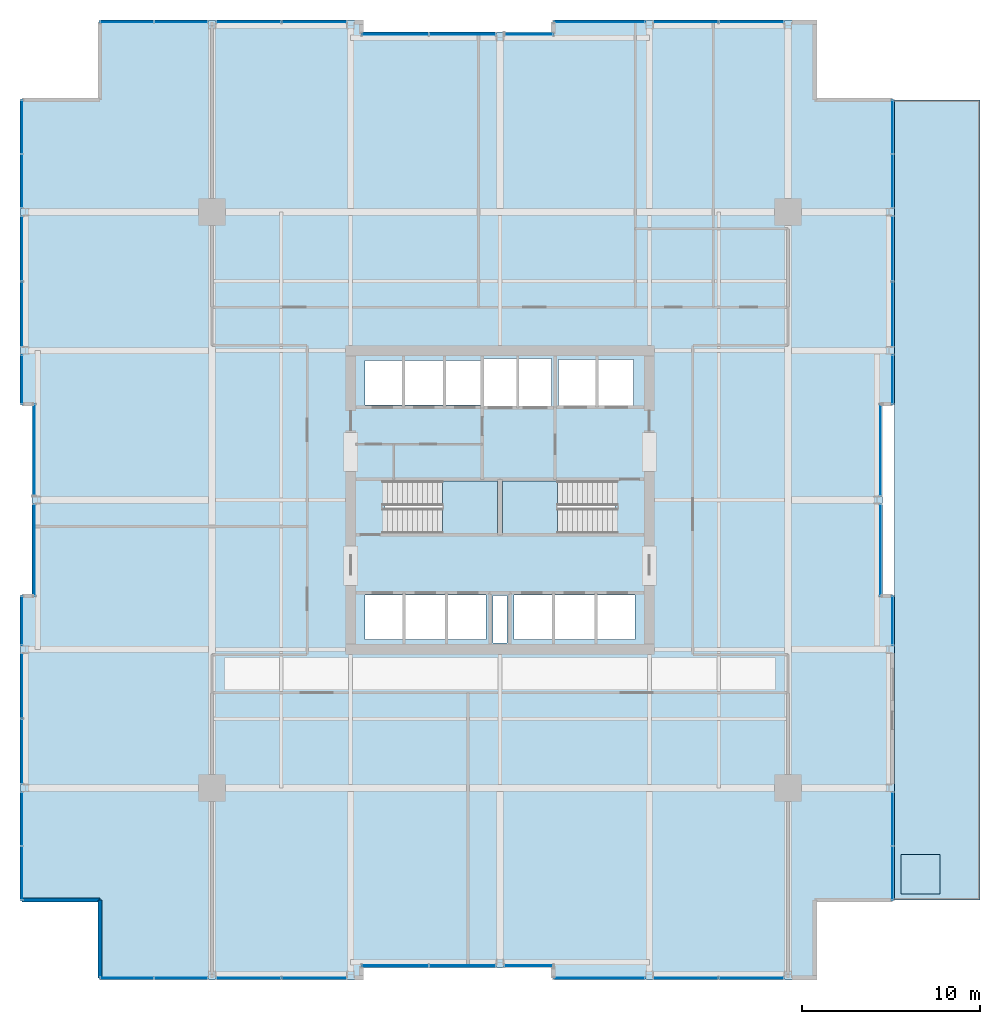
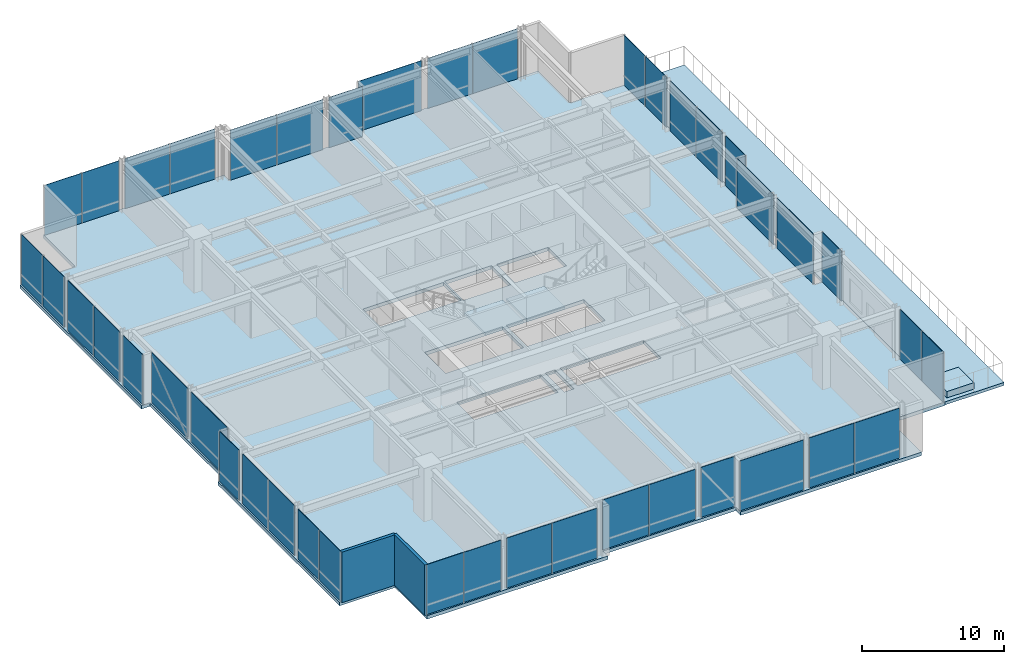
# One storey, part 27 of 33: 42 plates, 5 slabs, 2 walls, 29 elements without a shape of their own.
"""IFC4 building model written with IfcOpenShell, lengths in metres."""

from ifc_helpers import new_model, si_unit, direction, frame, frame_2d, origin, origin_2d, place, context, subcontext, project, spatial, polyline, rectangle, outline, extrude, material, layer, layer_set, type_object, element, aggregate, save


model = new_model("IFC4")

# Units and contexts
model_context = context("Model", 3, precision=1e-05, world=origin(), true_north=direction((0.0, 1.0)))
body_context = subcontext(model_context, "Body", "Model", "MODEL_VIEW")
ifc_project = project(units=[si_unit("LENGTHUNIT", "METRE"), si_unit("AREAUNIT", "SQUARE_METRE"), si_unit("VOLUMEUNIT", "CUBIC_METRE"), si_unit("PLANEANGLEUNIT", "RADIAN"), si_unit("MASSUNIT", "GRAM", prefix="KILO")], contexts=[model_context])

# Site, building, storey
site_placement = place(None, origin())
site = spatial("IfcSite", under=ifc_project, at=site_placement, CompositionType="ELEMENT")
building_placement = place(site_placement, origin())
building = spatial("IfcBuilding", under=site, at=building_placement, Name="Drelvath Grand Hotel", CompositionType="ELEMENT")
storey_placement = place(building_placement, frame((0.0, 0.0, 87.199951171875)))
storey = spatial("IfcBuildingStorey", under=building, at=storey_placement, Name="L21", CompositionType="ELEMENT", Elevation=87.199951171875)

# Slab
ifc_material_1 = material(Name="Concrete f'c 40 MPa", Category="concrete")
ifc_layer_1 = layer(ifc_material_1, 0.300048828125)
ifc_layer_set_1 = layer_set([ifc_layer_1], Name="Concrete f'c 40 MPa")
slab_type_1 = type_object("IfcSlabType", Name="Composite RC Floor Slab 300", PredefinedType="FLOOR", material=ifc_layer_set_1)
slab_1_placement = place(storey_placement, frame((0.0, 0.0, -0.300048828125)))
element("IfcSlab", 1, at=slab_1_placement, inside=storey, type_object=slab_type_1, Name="L21 Structural Floor Slab", PredefinedType="FLOOR", context=body_context, shape_type="SweptSolid", body=[
    extrude(outline(polyline([(-22.5, 0.0), (-7.800048828125, 0.0), (-7.800048828125, 0.679931640625), (3.0, 0.679931640625), (3.0, 0.0), (17.699951171875, 0.0), (17.699951171875, 4.5), (22.199951171875, 4.5), (22.199951171875, 21.60009765625), (21.52001953125, 21.60009765625), (21.52001953125, 32.39990234375), (22.199951171875, 32.39990234375), (22.199951171875, 49.5), (17.699951171875, 49.5), (17.699951171875, 54.0), (3.0, 54.0), (3.0, 53.320068359375), (-7.800048828125, 53.320068359375), (-7.800048828125, 54.0), (-22.5, 54.0), (-22.5, 49.5), (-27.0, 49.5), (-27.0, 32.39990234375), (-26.320068359375, 32.39990234375), (-26.320068359375, 21.60009765625), (-27.0, 21.60009765625), (-27.0, 4.5), (-22.5, 4.5), (-22.5, 0.0)]), holes=[polyline([(-6.47998046875, 25.1201171875), (-6.47998046875, 28.080078125), (-0.14990234375, 28.080078125), (-0.14990234375, 25.1201171875), (-6.47998046875, 25.1201171875)]), polyline([(0.14990234375, 25.1201171875), (0.14990234375, 28.080078125), (6.47998046875, 28.080078125), (6.47998046875, 25.1201171875), (0.14990234375, 25.1201171875)]), polyline([(-7.60009765625, 19.14990234375), (-7.60009765625, 21.64990234375), (-0.800048828125, 21.64990234375), (-0.800048828125, 19.14990234375), (-7.60009765625, 19.14990234375)]), polyline([(-0.39990234375, 18.9599609375), (-0.39990234375, 21.639892578125), (0.39990234375, 21.639892578125), (0.39990234375, 18.9599609375), (-0.39990234375, 18.9599609375)]), polyline([(0.800048828125, 19.14990234375), (0.800048828125, 21.64990234375), (7.60009765625, 21.64990234375), (7.60009765625, 19.14990234375), (0.800048828125, 19.14990234375)]), polyline([(-7.60009765625, 32.35009765625), (-7.60009765625, 34.85009765625), (-1.02001953125, 34.85009765625), (-1.02001953125, 32.35009765625), (-7.60009765625, 32.35009765625)]), polyline([(-0.89990234375, 32.25), (-0.89990234375, 34.949951171875), (2.89990234375, 34.949951171875), (2.89990234375, 32.25), (-0.89990234375, 32.25)]), polyline([(3.300048828125, 32.300048828125), (3.300048828125, 34.89990234375), (7.5, 34.89990234375), (7.5, 32.300048828125), (3.300048828125, 32.300048828125)])]), origin(), (0.0, 0.0, 1.0), 0.300048828125),
])

# Stair, slab
ifc_material_2 = material(Name="Concrete C40/50", Category="concrete")
stair_type = type_object("IfcStairType", Name="Dogleg Exit Stair W1400-R176.9", PredefinedType="HALF_TURN_STAIR", material=ifc_material_2)
stair_1_placement = place(storey_placement, origin())
stair_1 = element("IfcStair", 2, at=stair_1_placement, inside=storey, type_object=stair_type, Name="L21 Core Exit Stair ST-1", PredefinedType="HALF_TURN_STAIR")
ifc_layer_2 = layer(ifc_material_2, 0.199951171875)
ifc_layer_set_2 = layer_set([ifc_layer_2], Name="Concrete C40/50")
slab_type_2 = type_object("IfcSlabType", Name="Concrete Stair Landing Slab 200", PredefinedType="LANDING", material=ifc_layer_set_2)
slab_2_placement = place(storey_placement, frame((0.0, 0.0, 2.10009765625)))
slab_2 = element("IfcSlab", 3, at=slab_2_placement, type_object=slab_type_2, Name="ST-1 landing 1", PredefinedType="LANDING", context=body_context, shape_type="SweptSolid", body=[
    extrude(outline(polyline([(-3.239990234375, 25.1201171875), (-0.14990234375, 25.1201171875), (-0.14990234375, 28.080078125), (-3.239990234375, 28.080078125), (-3.239990234375, 25.1201171875)])), origin(), (0.0, 0.0, 1.0), 0.199951171875),
])
aggregate(stair_1, [slab_2])

stair_2_placement = place(storey_placement, origin())
stair_2 = element("IfcStair", 4, at=stair_2_placement, inside=storey, type_object=stair_type, Name="L21 Core Exit Stair ST-2", PredefinedType="HALF_TURN_STAIR")
slab_3_placement = place(storey_placement, frame((0.0, 0.0, 2.10009765625)))
slab_3 = element("IfcSlab", 5, at=slab_3_placement, type_object=slab_type_2, Name="ST-2 landing 1", PredefinedType="LANDING", context=body_context, shape_type="SweptSolid", body=[
    extrude(outline(polyline([(3.239990234375, 28.080078125), (0.14990234375, 28.080078125), (0.14990234375, 25.1201171875), (3.239990234375, 25.1201171875), (3.239990234375, 28.080078125)])), origin(), (0.0, 0.0, 1.0), 0.199951171875),
])
aggregate(stair_2, [slab_3])

# Curtain wall, plates
ifc_material_3 = material(Name="Champagne Bronze Anodised Aluminium Frame", Category="aluminium")
ifc_layer_3 = layer(ifc_material_3, 0.199951171875)
ifc_layer_set_3 = layer_set([ifc_layer_3], Name="Champagne Bronze Anodised Aluminium Frame")
curtain_wall_type = type_object("IfcCurtainWallType", Name="Stick Curtain Wall CW-03 Champagne Bronze Mid-Rise", PredefinedType="NOTDEFINED", material=ifc_layer_set_3)
curtain_wall_1_placement = place(storey_placement, origin())
curtain_wall_1 = element("IfcCurtainWall", 6, at=curtain_wall_1_placement, inside=storey, type_object=curtain_wall_type, Name="L21 CW-03 Curtain Wall CW03-L21-WS1", PredefinedType="NOTDEFINED")
ifc_material_4 = material(Name="Low-E Triple Silver Vision Glass Neutral", Category="glass")
ifc_layer_4 = layer(ifc_material_4, 0.035888671875)
ifc_layer_set_4 = layer_set([ifc_layer_4], Name="Low-E Triple Silver Vision Glass Neutral")
plate_type = type_object("IfcPlateType", Name="Curtain Wall Vision Panel CW-03 36mm", PredefinedType="CURTAIN_PANEL", material=ifc_layer_set_4)
plate_1_placement = place(storey_placement, frame((-26.8798828125, 6.02001953125, 0.02001953125), z_axis=(0.0, 0.0, 1.0), x_axis=(0.0, 1.0, 0.0)))
plate_1 = element("IfcPlate", 7, at=plate_1_placement, type_object=plate_type, Name="CW03-L21-WS1 Glazed Panel 1", PredefinedType="CURTAIN_PANEL", context=body_context, shape_type="SweptSolid", body=[
    extrude(rectangle(XDim=3.000244140625, YDim=0.035888671875, at=origin_2d()), origin(), (0.0, 0.0, 1.0), 4.300048828125),
])
plate_2_placement = place(storey_placement, frame((-26.8798828125, 9.060302734375, 0.02001953125), z_axis=(0.0, 0.0, 1.0), x_axis=(0.0, 1.0, 0.0)))
plate_2 = element("IfcPlate", 8, at=plate_2_placement, type_object=plate_type, Name="CW03-L21-WS1 Glazed Panel 2", PredefinedType="CURTAIN_PANEL", context=body_context, shape_type="SweptSolid", body=[
    extrude(rectangle(XDim=3.000244140625, YDim=0.035888671875, at=origin_2d()), origin(), (0.0, 0.0, 1.0), 4.300048828125),
])
aggregate(curtain_wall_1, [plate_1, plate_2])

curtain_wall_2_placement = place(storey_placement, origin())
curtain_wall_2 = element("IfcCurtainWall", 9, at=curtain_wall_2_placement, inside=storey, type_object=curtain_wall_type, Name="L21 CW-03 Curtain Wall CW03-L21-WS2", PredefinedType="NOTDEFINED")
plate_3_placement = place(storey_placement, frame((-26.8798828125, 12.85986328125, 0.02001953125), z_axis=(0.0, 0.0, 1.0), x_axis=(0.0, 1.0, 0.0)))
plate_3 = element("IfcPlate", 10, at=plate_3_placement, type_object=plate_type, Name="CW03-L21-WS2 Glazed Panel 1", PredefinedType="CURTAIN_PANEL", context=body_context, shape_type="SweptSolid", body=[
    extrude(rectangle(XDim=3.640380859375, YDim=0.035888671875, at=origin_2d()), origin(), (0.0, 0.0, 1.0), 4.300048828125),
])
plate_4_placement = place(storey_placement, frame((-26.8798828125, 16.540283203125, 0.02001953125), z_axis=(0.0, 0.0, 1.0), x_axis=(0.0, 1.0, 0.0)))
plate_4 = element("IfcPlate", 11, at=plate_4_placement, type_object=plate_type, Name="CW03-L21-WS2 Glazed Panel 2", PredefinedType="CURTAIN_PANEL", context=body_context, shape_type="SweptSolid", body=[
    extrude(rectangle(XDim=3.640380859375, YDim=0.035888671875, at=origin_2d()), origin(), (0.0, 0.0, 1.0), 4.300048828125),
])
aggregate(curtain_wall_2, [plate_3, plate_4])

# Curtain wall, plate
curtain_wall_3_placement = place(storey_placement, origin())
curtain_wall_3 = element("IfcCurtainWall", 12, at=curtain_wall_3_placement, inside=storey, type_object=curtain_wall_type, Name="L21 CW-03 Curtain Wall CW03-L21-WS3", PredefinedType="NOTDEFINED")
plate_5_placement = place(storey_placement, frame((-26.8798828125, 20.209716796875, 0.02001953125), z_axis=(0.0, 0.0, 1.0), x_axis=(0.0, 1.0, 0.0)))
plate_5 = element("IfcPlate", 13, at=plate_5_placement, type_object=plate_type, Name="CW03-L21-WS3 Glazed Panel 1", PredefinedType="CURTAIN_PANEL", context=body_context, shape_type="SweptSolid", body=[
    extrude(rectangle(XDim=2.740478515625, YDim=0.035888671875, at=origin_2d()), origin(), (0.0, 0.0, 1.0), 4.300048828125),
])
aggregate(curtain_wall_3, [plate_5])

curtain_wall_4_placement = place(storey_placement, origin())
curtain_wall_4 = element("IfcCurtainWall", 14, at=curtain_wall_4_placement, inside=storey, type_object=curtain_wall_type, Name="L21 CW-03 Curtain Wall CW03-L21-WM1", PredefinedType="NOTDEFINED")
plate_6_placement = place(storey_placement, frame((-26.199951171875, 24.190185546875, 0.02001953125), z_axis=(0.0, 0.0, 1.0), x_axis=(0.0, 1.0, 0.0)))
plate_6 = element("IfcPlate", 15, at=plate_6_placement, type_object=plate_type, Name="CW03-L21-WM1 Glazed Panel 1", PredefinedType="CURTAIN_PANEL", context=body_context, shape_type="SweptSolid", body=[
    extrude(rectangle(XDim=5.140380859375, YDim=0.035888671875, at=origin_2d()), origin(), (0.0, 0.0, 1.0), 4.300048828125),
])
aggregate(curtain_wall_4, [plate_6])

curtain_wall_5_placement = place(storey_placement, origin())
curtain_wall_5 = element("IfcCurtainWall", 16, at=curtain_wall_5_placement, inside=storey, type_object=curtain_wall_type, Name="L21 CW-03 Curtain Wall CW03-L21-WM2", PredefinedType="NOTDEFINED")
plate_7_placement = place(storey_placement, frame((-26.199951171875, 29.809814453125, 0.02001953125), z_axis=(0.0, 0.0, 1.0), x_axis=(0.0, 1.0, 0.0)))
plate_7 = element("IfcPlate", 17, at=plate_7_placement, type_object=plate_type, Name="CW03-L21-WM2 Glazed Panel 1", PredefinedType="CURTAIN_PANEL", context=body_context, shape_type="SweptSolid", body=[
    extrude(rectangle(XDim=5.140380859375, YDim=0.035888671875, at=origin_2d()), origin(), (0.0, 0.0, 1.0), 4.300048828125),
])
aggregate(curtain_wall_5, [plate_7])

curtain_wall_6_placement = place(storey_placement, origin())
curtain_wall_6 = element("IfcCurtainWall", 18, at=curtain_wall_6_placement, inside=storey, type_object=curtain_wall_type, Name="L21 CW-03 Curtain Wall CW03-L21-WN1", PredefinedType="NOTDEFINED")
plate_8_placement = place(storey_placement, frame((-26.8798828125, 33.790283203125, 0.02001953125), z_axis=(0.0, 0.0, 1.0), x_axis=(0.0, 1.0, 0.0)))
plate_8 = element("IfcPlate", 19, at=plate_8_placement, type_object=plate_type, Name="CW03-L21-WN1 Glazed Panel 1", PredefinedType="CURTAIN_PANEL", context=body_context, shape_type="SweptSolid", body=[
    extrude(rectangle(XDim=2.740478515625, YDim=0.035888671875, at=origin_2d()), origin(), (0.0, 0.0, 1.0), 4.300048828125),
])
aggregate(curtain_wall_6, [plate_8])

# Curtain wall, plates
curtain_wall_7_placement = place(storey_placement, origin())
curtain_wall_7 = element("IfcCurtainWall", 20, at=curtain_wall_7_placement, inside=storey, type_object=curtain_wall_type, Name="L21 CW-03 Curtain Wall CW03-L21-WN2", PredefinedType="NOTDEFINED")
plate_9_placement = place(storey_placement, frame((-26.8798828125, 37.459716796875, 0.02001953125), z_axis=(0.0, 0.0, 1.0), x_axis=(0.0, 1.0, 0.0)))
plate_9 = element("IfcPlate", 21, at=plate_9_placement, type_object=plate_type, Name="CW03-L21-WN2 Glazed Panel 1", PredefinedType="CURTAIN_PANEL", context=body_context, shape_type="SweptSolid", body=[
    extrude(rectangle(XDim=3.640380859375, YDim=0.035888671875, at=origin_2d()), origin(), (0.0, 0.0, 1.0), 4.300048828125),
])
plate_10_placement = place(storey_placement, frame((-26.8798828125, 41.14013671875, 0.02001953125), z_axis=(0.0, 0.0, 1.0), x_axis=(0.0, 1.0, 0.0)))
plate_10 = element("IfcPlate", 22, at=plate_10_placement, type_object=plate_type, Name="CW03-L21-WN2 Glazed Panel 2", PredefinedType="CURTAIN_PANEL", context=body_context, shape_type="SweptSolid", body=[
    extrude(rectangle(XDim=3.640380859375, YDim=0.035888671875, at=origin_2d()), origin(), (0.0, 0.0, 1.0), 4.300048828125),
])
aggregate(curtain_wall_7, [plate_9, plate_10])

curtain_wall_8_placement = place(storey_placement, origin())
curtain_wall_8 = element("IfcCurtainWall", 23, at=curtain_wall_8_placement, inside=storey, type_object=curtain_wall_type, Name="L21 CW-03 Curtain Wall CW03-L21-WN3", PredefinedType="NOTDEFINED")
plate_11_placement = place(storey_placement, frame((-26.8798828125, 44.939697265625, 0.02001953125), z_axis=(0.0, 0.0, 1.0), x_axis=(0.0, 1.0, 0.0)))
plate_11 = element("IfcPlate", 24, at=plate_11_placement, type_object=plate_type, Name="CW03-L21-WN3 Glazed Panel 1", PredefinedType="CURTAIN_PANEL", context=body_context, shape_type="SweptSolid", body=[
    extrude(rectangle(XDim=3.000244140625, YDim=0.035888671875, at=origin_2d()), origin(), (0.0, 0.0, 1.0), 4.300048828125),
])
plate_12_placement = place(storey_placement, frame((-26.8798828125, 47.97998046875, 0.02001953125), z_axis=(0.0, 0.0, 1.0), x_axis=(0.0, 1.0, 0.0)))
plate_12 = element("IfcPlate", 25, at=plate_12_placement, type_object=plate_type, Name="CW03-L21-WN3 Glazed Panel 2", PredefinedType="CURTAIN_PANEL", context=body_context, shape_type="SweptSolid", body=[
    extrude(rectangle(XDim=3.000244140625, YDim=0.035888671875, at=origin_2d()), origin(), (0.0, 0.0, 1.0), 4.300048828125),
])
aggregate(curtain_wall_8, [plate_11, plate_12])

# Curtain wall, plate
curtain_wall_9_placement = place(storey_placement, origin())
curtain_wall_9 = element("IfcCurtainWall", 26, at=curtain_wall_9_placement, inside=storey, type_object=curtain_wall_type, Name="L21 CW-03 Curtain Wall CW03-L21-EN1", PredefinedType="NOTDEFINED")
plate_13_placement = place(storey_placement, frame((22.080078125, 33.790283203125, 0.02001953125), z_axis=(0.0, 0.0, 1.0), x_axis=(0.0, -1.0, 0.0)))
plate_13 = element("IfcPlate", 27, at=plate_13_placement, type_object=plate_type, Name="CW03-L21-EN1 Glazed Panel 1", PredefinedType="CURTAIN_PANEL", context=body_context, shape_type="SweptSolid", body=[
    extrude(rectangle(XDim=2.740478515625, YDim=0.035888671875, at=origin_2d()), origin(), (0.0, 0.0, 1.0), 4.300048828125),
])
aggregate(curtain_wall_9, [plate_13])

# Curtain wall, plates
curtain_wall_10_placement = place(storey_placement, origin())
curtain_wall_10 = element("IfcCurtainWall", 28, at=curtain_wall_10_placement, inside=storey, type_object=curtain_wall_type, Name="L21 CW-03 Curtain Wall CW03-L21-EN2", PredefinedType="NOTDEFINED")
plate_14_placement = place(storey_placement, frame((22.080078125, 41.14013671875, 0.02001953125), z_axis=(0.0, 0.0, 1.0), x_axis=(0.0, -1.0, 0.0)))
plate_14 = element("IfcPlate", 29, at=plate_14_placement, type_object=plate_type, Name="CW03-L21-EN2 Glazed Panel 1", PredefinedType="CURTAIN_PANEL", context=body_context, shape_type="SweptSolid", body=[
    extrude(rectangle(XDim=3.640380859375, YDim=0.035888671875, at=origin_2d()), origin(), (0.0, 0.0, 1.0), 4.300048828125),
])
plate_15_placement = place(storey_placement, frame((22.080078125, 37.459716796875, 0.02001953125), z_axis=(0.0, 0.0, 1.0), x_axis=(0.0, -1.0, 0.0)))
plate_15 = element("IfcPlate", 30, at=plate_15_placement, type_object=plate_type, Name="CW03-L21-EN2 Glazed Panel 2", PredefinedType="CURTAIN_PANEL", context=body_context, shape_type="SweptSolid", body=[
    extrude(rectangle(XDim=3.640380859375, YDim=0.035888671875, at=origin_2d()), origin(), (0.0, 0.0, 1.0), 4.300048828125),
])
aggregate(curtain_wall_10, [plate_14, plate_15])

curtain_wall_11_placement = place(storey_placement, origin())
curtain_wall_11 = element("IfcCurtainWall", 31, at=curtain_wall_11_placement, inside=storey, type_object=curtain_wall_type, Name="L21 CW-03 Curtain Wall CW03-L21-EN3", PredefinedType="NOTDEFINED")
plate_16_placement = place(storey_placement, frame((22.080078125, 47.97998046875, 0.02001953125), z_axis=(0.0, 0.0, 1.0), x_axis=(0.0, -1.0, 0.0)))
plate_16 = element("IfcPlate", 32, at=plate_16_placement, type_object=plate_type, Name="CW03-L21-EN3 Glazed Panel 1", PredefinedType="CURTAIN_PANEL", context=body_context, shape_type="SweptSolid", body=[
    extrude(rectangle(XDim=3.000244140625, YDim=0.035888671875, at=origin_2d()), origin(), (0.0, 0.0, 1.0), 4.300048828125),
])
plate_17_placement = place(storey_placement, frame((22.080078125, 44.939697265625, 0.02001953125), z_axis=(0.0, 0.0, 1.0), x_axis=(0.0, -1.0, 0.0)))
plate_17 = element("IfcPlate", 33, at=plate_17_placement, type_object=plate_type, Name="CW03-L21-EN3 Glazed Panel 2", PredefinedType="CURTAIN_PANEL", context=body_context, shape_type="SweptSolid", body=[
    extrude(rectangle(XDim=3.000244140625, YDim=0.035888671875, at=origin_2d()), origin(), (0.0, 0.0, 1.0), 4.300048828125),
])
aggregate(curtain_wall_11, [plate_16, plate_17])

# Curtain wall, plate
curtain_wall_12_placement = place(storey_placement, origin())
curtain_wall_12 = element("IfcCurtainWall", 34, at=curtain_wall_12_placement, inside=storey, type_object=curtain_wall_type, Name="L21 CW-03 Curtain Wall CW03-L21-EM1", PredefinedType="NOTDEFINED")
plate_18_placement = place(storey_placement, frame((21.39990234375, 24.190185546875, 0.02001953125), z_axis=(0.0, 0.0, 1.0), x_axis=(0.0, -1.0, 0.0)))
plate_18 = element("IfcPlate", 35, at=plate_18_placement, type_object=plate_type, Name="CW03-L21-EM1 Glazed Panel 1", PredefinedType="CURTAIN_PANEL", context=body_context, shape_type="SweptSolid", body=[
    extrude(rectangle(XDim=5.140380859375, YDim=0.035888671875, at=origin_2d()), origin(), (0.0, 0.0, 1.0), 4.300048828125),
])
aggregate(curtain_wall_12, [plate_18])

curtain_wall_13_placement = place(storey_placement, origin())
curtain_wall_13 = element("IfcCurtainWall", 36, at=curtain_wall_13_placement, inside=storey, type_object=curtain_wall_type, Name="L21 CW-03 Curtain Wall CW03-L21-EM2", PredefinedType="NOTDEFINED")
plate_19_placement = place(storey_placement, frame((21.39990234375, 29.809814453125, 0.02001953125), z_axis=(0.0, 0.0, 1.0), x_axis=(0.0, -1.0, 0.0)))
plate_19 = element("IfcPlate", 37, at=plate_19_placement, type_object=plate_type, Name="CW03-L21-EM2 Glazed Panel 1", PredefinedType="CURTAIN_PANEL", context=body_context, shape_type="SweptSolid", body=[
    extrude(rectangle(XDim=5.140380859375, YDim=0.035888671875, at=origin_2d()), origin(), (0.0, 0.0, 1.0), 4.300048828125),
])
aggregate(curtain_wall_13, [plate_19])

# Curtain wall, plates
curtain_wall_14_placement = place(storey_placement, origin())
curtain_wall_14 = element("IfcCurtainWall", 38, at=curtain_wall_14_placement, inside=storey, type_object=curtain_wall_type, Name="L21 CW-03 Curtain Wall CW03-L21-ES1", PredefinedType="NOTDEFINED")
plate_20_placement = place(storey_placement, frame((22.080078125, 9.060302734375, 0.02001953125), z_axis=(0.0, 0.0, 1.0), x_axis=(0.0, -1.0, 0.0)))
plate_20 = element("IfcPlate", 39, at=plate_20_placement, type_object=plate_type, Name="CW03-L21-ES1 Glazed Panel 1", PredefinedType="CURTAIN_PANEL", context=body_context, shape_type="SweptSolid", body=[
    extrude(rectangle(XDim=3.000244140625, YDim=0.035888671875, at=origin_2d()), origin(), (0.0, 0.0, 1.0), 4.300048828125),
])
plate_21_placement = place(storey_placement, frame((22.080078125, 6.02001953125, 0.02001953125), z_axis=(0.0, 0.0, 1.0), x_axis=(0.0, -1.0, 0.0)))
plate_21 = element("IfcPlate", 40, at=plate_21_placement, type_object=plate_type, Name="CW03-L21-ES1 Glazed Panel 2", PredefinedType="CURTAIN_PANEL", context=body_context, shape_type="SweptSolid", body=[
    extrude(rectangle(XDim=3.000244140625, YDim=0.035888671875, at=origin_2d()), origin(), (0.0, 0.0, 1.0), 4.300048828125),
])
aggregate(curtain_wall_14, [plate_20, plate_21])

# Curtain wall, plate
curtain_wall_15_placement = place(storey_placement, origin())
curtain_wall_15 = element("IfcCurtainWall", 41, at=curtain_wall_15_placement, inside=storey, type_object=curtain_wall_type, Name="L21 CW-03 Curtain Wall CW03-L21-ES3", PredefinedType="NOTDEFINED")
plate_22_placement = place(storey_placement, frame((22.080078125, 20.209716796875, 0.02001953125), z_axis=(0.0, 0.0, 1.0), x_axis=(0.0, -1.0, 0.0)))
plate_22 = element("IfcPlate", 42, at=plate_22_placement, type_object=plate_type, Name="CW03-L21-ES3 Glazed Panel 1", PredefinedType="CURTAIN_PANEL", context=body_context, shape_type="SweptSolid", body=[
    extrude(rectangle(XDim=2.740478515625, YDim=0.035888671875, at=origin_2d()), origin(), (0.0, 0.0, 1.0), 4.300048828125),
])
aggregate(curtain_wall_15, [plate_22])

# Curtain wall, plates
curtain_wall_16_placement = place(storey_placement, origin())
curtain_wall_16 = element("IfcCurtainWall", 43, at=curtain_wall_16_placement, inside=storey, type_object=curtain_wall_type, Name="L21 CW-03 Curtain Wall CW03-L21-NW1", PredefinedType="NOTDEFINED")
plate_23_placement = place(storey_placement, frame((-20.97998046875, 53.8798828125, 0.02001953125), z_axis=(0.0, 0.0, 1.0), x_axis=(1.0, 0.0, 0.0)))
plate_23 = element("IfcPlate", 44, at=plate_23_placement, type_object=plate_type, Name="CW03-L21-NW1 Glazed Panel 1", PredefinedType="CURTAIN_PANEL", context=body_context, shape_type="SweptSolid", body=[
    extrude(rectangle(XDim=3.000244140625, YDim=0.035888671875, at=origin_2d()), origin(), (0.0, 0.0, 1.0), 4.300048828125),
])
plate_24_placement = place(storey_placement, frame((-17.939697265625, 53.8798828125, 0.02001953125), z_axis=(0.0, 0.0, 1.0), x_axis=(1.0, 0.0, 0.0)))
plate_24 = element("IfcPlate", 45, at=plate_24_placement, type_object=plate_type, Name="CW03-L21-NW1 Glazed Panel 2", PredefinedType="CURTAIN_PANEL", context=body_context, shape_type="SweptSolid", body=[
    extrude(rectangle(XDim=3.000244140625, YDim=0.035888671875, at=origin_2d()), origin(), (0.0, 0.0, 1.0), 4.300048828125),
])
aggregate(curtain_wall_16, [plate_23, plate_24])

curtain_wall_17_placement = place(storey_placement, origin())
curtain_wall_17 = element("IfcCurtainWall", 46, at=curtain_wall_17_placement, inside=storey, type_object=curtain_wall_type, Name="L21 CW-03 Curtain Wall CW03-L21-NW2", PredefinedType="NOTDEFINED")
plate_25_placement = place(storey_placement, frame((-14.14013671875, 53.8798828125, 0.02001953125), z_axis=(0.0, 0.0, 1.0), x_axis=(1.0, 0.0, 0.0)))
plate_25 = element("IfcPlate", 47, at=plate_25_placement, type_object=plate_type, Name="CW03-L21-NW2 Glazed Panel 1", PredefinedType="CURTAIN_PANEL", context=body_context, shape_type="SweptSolid", body=[
    extrude(rectangle(XDim=3.640380859375, YDim=0.035888671875, at=origin_2d()), origin(), (0.0, 0.0, 1.0), 4.300048828125),
])
plate_26_placement = place(storey_placement, frame((-10.459716796875, 53.8798828125, 0.02001953125), z_axis=(0.0, 0.0, 1.0), x_axis=(1.0, 0.0, 0.0)))
plate_26 = element("IfcPlate", 48, at=plate_26_placement, type_object=plate_type, Name="CW03-L21-NW2 Glazed Panel 2", PredefinedType="CURTAIN_PANEL", context=body_context, shape_type="SweptSolid", body=[
    extrude(rectangle(XDim=3.640380859375, YDim=0.035888671875, at=origin_2d()), origin(), (0.0, 0.0, 1.0), 4.300048828125),
])
aggregate(curtain_wall_17, [plate_25, plate_26])

curtain_wall_18_placement = place(storey_placement, origin())
curtain_wall_18 = element("IfcCurtainWall", 49, at=curtain_wall_18_placement, inside=storey, type_object=curtain_wall_type, Name="L21 CW-03 Curtain Wall CW03-L21-NM1", PredefinedType="NOTDEFINED")
plate_27_placement = place(storey_placement, frame((-5.90478515625, 53.199951171875, 0.02001953125), z_axis=(0.0, 0.0, 1.0), x_axis=(1.0, 0.0, 0.0)))
plate_27 = element("IfcPlate", 50, at=plate_27_placement, type_object=plate_type, Name="CW03-L21-NM1 Glazed Panel 1", PredefinedType="CURTAIN_PANEL", context=body_context, shape_type="SweptSolid", body=[
    extrude(rectangle(XDim=3.750244140625, YDim=0.035888671875, at=origin_2d()), origin(), (0.0, 0.0, 1.0), 4.300048828125),
])
plate_28_placement = place(storey_placement, frame((-2.11474609375, 53.199951171875, 0.02001953125), z_axis=(0.0, 0.0, 1.0), x_axis=(1.0, 0.0, 0.0)))
plate_28 = element("IfcPlate", 51, at=plate_28_placement, type_object=plate_type, Name="CW03-L21-NM1 Glazed Panel 2", PredefinedType="CURTAIN_PANEL", context=body_context, shape_type="SweptSolid", body=[
    extrude(rectangle(XDim=3.750244140625, YDim=0.035888671875, at=origin_2d()), origin(), (0.0, 0.0, 1.0), 4.300048828125),
])
aggregate(curtain_wall_18, [plate_27, plate_28])

# Curtain wall, plate
curtain_wall_19_placement = place(storey_placement, origin())
curtain_wall_19 = element("IfcCurtainWall", 52, at=curtain_wall_19_placement, inside=storey, type_object=curtain_wall_type, Name="L21 CW-03 Curtain Wall CW03-L21-NM2", PredefinedType="NOTDEFINED")
plate_29_placement = place(storey_placement, frame((1.60986328125, 53.199951171875, 0.02001953125), z_axis=(0.0, 0.0, 1.0), x_axis=(1.0, 0.0, 0.0)))
plate_29 = element("IfcPlate", 53, at=plate_29_placement, type_object=plate_type, Name="CW03-L21-NM2 Glazed Panel 1", PredefinedType="CURTAIN_PANEL", context=body_context, shape_type="SweptSolid", body=[
    extrude(rectangle(XDim=2.740478515625, YDim=0.035888671875, at=origin_2d()), origin(), (0.0, 0.0, 1.0), 4.300048828125),
])
aggregate(curtain_wall_19, [plate_29])

curtain_wall_20_placement = place(storey_placement, origin())
curtain_wall_20 = element("IfcCurtainWall", 54, at=curtain_wall_20_placement, inside=storey, type_object=curtain_wall_type, Name="L21 CW-03 Curtain Wall CW03-L21-NE1", PredefinedType="NOTDEFINED")
plate_30_placement = place(storey_placement, frame((5.590087890625, 53.8798828125, 0.02001953125), z_axis=(0.0, 0.0, 1.0), x_axis=(1.0, 0.0, 0.0)))
plate_30 = element("IfcPlate", 55, at=plate_30_placement, type_object=plate_type, Name="CW03-L21-NE1 Glazed Panel 1", PredefinedType="CURTAIN_PANEL", context=body_context, shape_type="SweptSolid", body=[
    extrude(rectangle(XDim=5.140380859375, YDim=0.035888671875, at=origin_2d()), origin(), (0.0, 0.0, 1.0), 4.300048828125),
])
aggregate(curtain_wall_20, [plate_30])

# Curtain wall, plates
curtain_wall_21_placement = place(storey_placement, origin())
curtain_wall_21 = element("IfcCurtainWall", 56, at=curtain_wall_21_placement, inside=storey, type_object=curtain_wall_type, Name="L21 CW-03 Curtain Wall CW03-L21-NE2", PredefinedType="NOTDEFINED")
plate_31_placement = place(storey_placement, frame((10.459716796875, 53.8798828125, 0.02001953125), z_axis=(0.0, 0.0, 1.0), x_axis=(1.0, 0.0, 0.0)))
plate_31 = element("IfcPlate", 57, at=plate_31_placement, type_object=plate_type, Name="CW03-L21-NE2 Glazed Panel 1", PredefinedType="CURTAIN_PANEL", context=body_context, shape_type="SweptSolid", body=[
    extrude(rectangle(XDim=3.640380859375, YDim=0.035888671875, at=origin_2d()), origin(), (0.0, 0.0, 1.0), 4.300048828125),
])
plate_32_placement = place(storey_placement, frame((14.14013671875, 53.8798828125, 0.02001953125), z_axis=(0.0, 0.0, 1.0), x_axis=(1.0, 0.0, 0.0)))
plate_32 = element("IfcPlate", 58, at=plate_32_placement, type_object=plate_type, Name="CW03-L21-NE2 Glazed Panel 2", PredefinedType="CURTAIN_PANEL", context=body_context, shape_type="SweptSolid", body=[
    extrude(rectangle(XDim=3.640380859375, YDim=0.035888671875, at=origin_2d()), origin(), (0.0, 0.0, 1.0), 4.300048828125),
])
aggregate(curtain_wall_21, [plate_31, plate_32])

# Curtain wall, plate
curtain_wall_22_placement = place(storey_placement, origin())
curtain_wall_22 = element("IfcCurtainWall", 59, at=curtain_wall_22_placement, inside=storey, type_object=curtain_wall_type, Name="L21 CW-03 Curtain Wall CW03-L21-SE1", PredefinedType="NOTDEFINED")
plate_33_placement = place(storey_placement, frame((5.590087890625, 0.1201171875, 0.02001953125), z_axis=(0.0, 0.0, 1.0), x_axis=(-1.0, 0.0, 0.0)))
plate_33 = element("IfcPlate", 60, at=plate_33_placement, type_object=plate_type, Name="CW03-L21-SE1 Glazed Panel 1", PredefinedType="CURTAIN_PANEL", context=body_context, shape_type="SweptSolid", body=[
    extrude(rectangle(XDim=5.140380859375, YDim=0.035888671875, at=origin_2d()), origin(), (0.0, 0.0, 1.0), 4.300048828125),
])
aggregate(curtain_wall_22, [plate_33])

# Curtain wall, plates
curtain_wall_23_placement = place(storey_placement, origin())
curtain_wall_23 = element("IfcCurtainWall", 61, at=curtain_wall_23_placement, inside=storey, type_object=curtain_wall_type, Name="L21 CW-03 Curtain Wall CW03-L21-SE2", PredefinedType="NOTDEFINED")
plate_34_placement = place(storey_placement, frame((14.14013671875, 0.1201171875, 0.02001953125), z_axis=(0.0, 0.0, 1.0), x_axis=(-1.0, 0.0, 0.0)))
plate_34 = element("IfcPlate", 62, at=plate_34_placement, type_object=plate_type, Name="CW03-L21-SE2 Glazed Panel 1", PredefinedType="CURTAIN_PANEL", context=body_context, shape_type="SweptSolid", body=[
    extrude(rectangle(XDim=3.640380859375, YDim=0.035888671875, at=origin_2d()), origin(), (0.0, 0.0, 1.0), 4.300048828125),
])
plate_35_placement = place(storey_placement, frame((10.459716796875, 0.1201171875, 0.02001953125), z_axis=(0.0, 0.0, 1.0), x_axis=(-1.0, 0.0, 0.0)))
plate_35 = element("IfcPlate", 63, at=plate_35_placement, type_object=plate_type, Name="CW03-L21-SE2 Glazed Panel 2", PredefinedType="CURTAIN_PANEL", context=body_context, shape_type="SweptSolid", body=[
    extrude(rectangle(XDim=3.640380859375, YDim=0.035888671875, at=origin_2d()), origin(), (0.0, 0.0, 1.0), 4.300048828125),
])
aggregate(curtain_wall_23, [plate_34, plate_35])

curtain_wall_24_placement = place(storey_placement, origin())
curtain_wall_24 = element("IfcCurtainWall", 64, at=curtain_wall_24_placement, inside=storey, type_object=curtain_wall_type, Name="L21 CW-03 Curtain Wall CW03-L21-SM1", PredefinedType="NOTDEFINED")
plate_36_placement = place(storey_placement, frame((-2.11474609375, 0.800048828125, 0.02001953125), z_axis=(0.0, 0.0, 1.0), x_axis=(-1.0, 0.0, 0.0)))
plate_36 = element("IfcPlate", 65, at=plate_36_placement, type_object=plate_type, Name="CW03-L21-SM1 Glazed Panel 1", PredefinedType="CURTAIN_PANEL", context=body_context, shape_type="SweptSolid", body=[
    extrude(rectangle(XDim=3.750244140625, YDim=0.035888671875, at=origin_2d()), origin(), (0.0, 0.0, 1.0), 4.300048828125),
])
plate_37_placement = place(storey_placement, frame((-5.90478515625, 0.800048828125, 0.02001953125), z_axis=(0.0, 0.0, 1.0), x_axis=(-1.0, 0.0, 0.0)))
plate_37 = element("IfcPlate", 66, at=plate_37_placement, type_object=plate_type, Name="CW03-L21-SM1 Glazed Panel 2", PredefinedType="CURTAIN_PANEL", context=body_context, shape_type="SweptSolid", body=[
    extrude(rectangle(XDim=3.750244140625, YDim=0.035888671875, at=origin_2d()), origin(), (0.0, 0.0, 1.0), 4.300048828125),
])
aggregate(curtain_wall_24, [plate_36, plate_37])

# Curtain wall, plate
curtain_wall_25_placement = place(storey_placement, origin())
curtain_wall_25 = element("IfcCurtainWall", 67, at=curtain_wall_25_placement, inside=storey, type_object=curtain_wall_type, Name="L21 CW-03 Curtain Wall CW03-L21-SM2", PredefinedType="NOTDEFINED")
plate_38_placement = place(storey_placement, frame((1.60986328125, 0.800048828125, 0.02001953125), z_axis=(0.0, 0.0, 1.0), x_axis=(-1.0, 0.0, 0.0)))
plate_38 = element("IfcPlate", 68, at=plate_38_placement, type_object=plate_type, Name="CW03-L21-SM2 Glazed Panel 1", PredefinedType="CURTAIN_PANEL", context=body_context, shape_type="SweptSolid", body=[
    extrude(rectangle(XDim=2.740478515625, YDim=0.035888671875, at=origin_2d()), origin(), (0.0, 0.0, 1.0), 4.300048828125),
])
aggregate(curtain_wall_25, [plate_38])

# Curtain wall, plates
curtain_wall_26_placement = place(storey_placement, origin())
curtain_wall_26 = element("IfcCurtainWall", 69, at=curtain_wall_26_placement, inside=storey, type_object=curtain_wall_type, Name="L21 CW-03 Curtain Wall CW03-L21-SW1", PredefinedType="NOTDEFINED")
plate_39_placement = place(storey_placement, frame((-17.939697265625, 0.1201171875, 0.02001953125), z_axis=(0.0, 0.0, 1.0), x_axis=(-1.0, 0.0, 0.0)))
plate_39 = element("IfcPlate", 70, at=plate_39_placement, type_object=plate_type, Name="CW03-L21-SW1 Glazed Panel 1", PredefinedType="CURTAIN_PANEL", context=body_context, shape_type="SweptSolid", body=[
    extrude(rectangle(XDim=3.000244140625, YDim=0.035888671875, at=origin_2d()), origin(), (0.0, 0.0, 1.0), 4.300048828125),
])
plate_40_placement = place(storey_placement, frame((-20.97998046875, 0.1201171875, 0.02001953125), z_axis=(0.0, 0.0, 1.0), x_axis=(-1.0, 0.0, 0.0)))
plate_40 = element("IfcPlate", 71, at=plate_40_placement, type_object=plate_type, Name="CW03-L21-SW1 Glazed Panel 2", PredefinedType="CURTAIN_PANEL", context=body_context, shape_type="SweptSolid", body=[
    extrude(rectangle(XDim=3.000244140625, YDim=0.035888671875, at=origin_2d()), origin(), (0.0, 0.0, 1.0), 4.300048828125),
])
aggregate(curtain_wall_26, [plate_39, plate_40])

curtain_wall_27_placement = place(storey_placement, origin())
curtain_wall_27 = element("IfcCurtainWall", 72, at=curtain_wall_27_placement, inside=storey, type_object=curtain_wall_type, Name="L21 CW-03 Curtain Wall CW03-L21-SW2", PredefinedType="NOTDEFINED")
plate_41_placement = place(storey_placement, frame((-10.459716796875, 0.1201171875, 0.02001953125), z_axis=(0.0, 0.0, 1.0), x_axis=(-1.0, 0.0, 0.0)))
plate_41 = element("IfcPlate", 73, at=plate_41_placement, type_object=plate_type, Name="CW03-L21-SW2 Glazed Panel 1", PredefinedType="CURTAIN_PANEL", context=body_context, shape_type="SweptSolid", body=[
    extrude(rectangle(XDim=3.640380859375, YDim=0.035888671875, at=origin_2d()), origin(), (0.0, 0.0, 1.0), 4.300048828125),
])
plate_42_placement = place(storey_placement, frame((-14.14013671875, 0.1201171875, 0.02001953125), z_axis=(0.0, 0.0, 1.0), x_axis=(-1.0, 0.0, 0.0)))
plate_42 = element("IfcPlate", 74, at=plate_42_placement, type_object=plate_type, Name="CW03-L21-SW2 Glazed Panel 2", PredefinedType="CURTAIN_PANEL", context=body_context, shape_type="SweptSolid", body=[
    extrude(rectangle(XDim=3.640380859375, YDim=0.035888671875, at=origin_2d()), origin(), (0.0, 0.0, 1.0), 4.300048828125),
])
aggregate(curtain_wall_27, [plate_41, plate_42])

# Slabs
ifc_layer_5 = layer(ifc_material_1, 0.260009765625)
ifc_layer_set_5 = layer_set([ifc_layer_5], Name="Concrete f'c 40 MPa")
slab_type_3 = type_object("IfcSlabType", Name="Planted Terrace Structural Slab 260", PredefinedType="FLOOR", material=ifc_layer_set_5)
slab_4_placement = place(storey_placement, frame((0.0, 0.0, -0.260009765625)))
element("IfcSlab", 75, at=slab_4_placement, inside=storey, type_object=slab_type_3, Name="L21 Setback Roof Garden Terrace Slab 1", PredefinedType="FLOOR", context=body_context, shape_type="SweptSolid", body=[
    extrude(outline(polyline([(22.199951171875, 4.5), (27.0, 4.5), (27.0, 49.5), (22.199951171875, 49.5), (22.199951171875, 4.5)])), origin(), (0.0, 0.0, 1.0), 0.260009765625),
])
ifc_layer_6 = layer(ifc_material_1, 0.550048828125)
ifc_layer_set_6 = layer_set([ifc_layer_6], Name="Concrete f'c 40 MPa")
slab_type_4 = type_object("IfcSlabType", Name="Structural Tree Planter Box 550", PredefinedType="USERDEFINED", material=ifc_layer_set_6)
slab_5_placement = place(storey_placement, origin())
element("IfcSlab", 76, at=slab_5_placement, inside=storey, type_object=slab_type_4, Name="L21 Setback Terrace Tree Planter 1", ObjectType="PLANTER", PredefinedType="USERDEFINED", context=body_context, shape_type="SweptSolid", body=[
    extrude(outline(polyline([(22.550048828125, 4.85009765625), (24.75, 4.85009765625), (24.75, 7.050048828125), (22.550048828125, 7.050048828125), (22.550048828125, 4.85009765625)])), origin(), (0.0, 0.0, 1.0), 0.550048828125),
])

# Walls
ifc_material_5 = material(Name="Pale-Metal Insulated Aluminium Spandrel Assembly", Category="aluminium")
ifc_layer_7 = layer(ifc_material_5, 0.239990234375)
ifc_layer_set_7 = layer_set([ifc_layer_7], Name="Pale-Metal Insulated Aluminium Spandrel Assembly")
wall_type = type_object("IfcWallType", Name="Tower Insulated Metal Spandrel Closure Wall 240", PredefinedType="STANDARD", material=ifc_layer_set_7)
for number, where, z_axis, x_axis, name in (
    (77, (-22.5, 0.1201171875, 0.0), (0.0, 0.0, 1.0), (0.0, 1.0, 0.0), "L21 Notched Corner Return Spandrel Wall CSW1"),
    (78, (-22.5, 4.5, 0.0), (0.0, 0.0, 1.0), (-1.0, 0.0, 0.0), "L21 Notched Corner Return Spandrel Wall CSW2"),
):
    element("IfcWall", number, at=place(storey_placement, frame(where, z_axis=z_axis, x_axis=x_axis)), inside=storey, type_object=wall_type, Name=name, PredefinedType="STANDARD", context=body_context, shape_type="SweptSolid", body=[
        extrude(rectangle(XDim=4.3798828125, YDim=0.239990234375, at=frame_2d((2.18994140625, 0.0))), origin(), (0.0, 0.0, 1.0), 4.340087890625),
    ])

save(model, "model.ifc")
